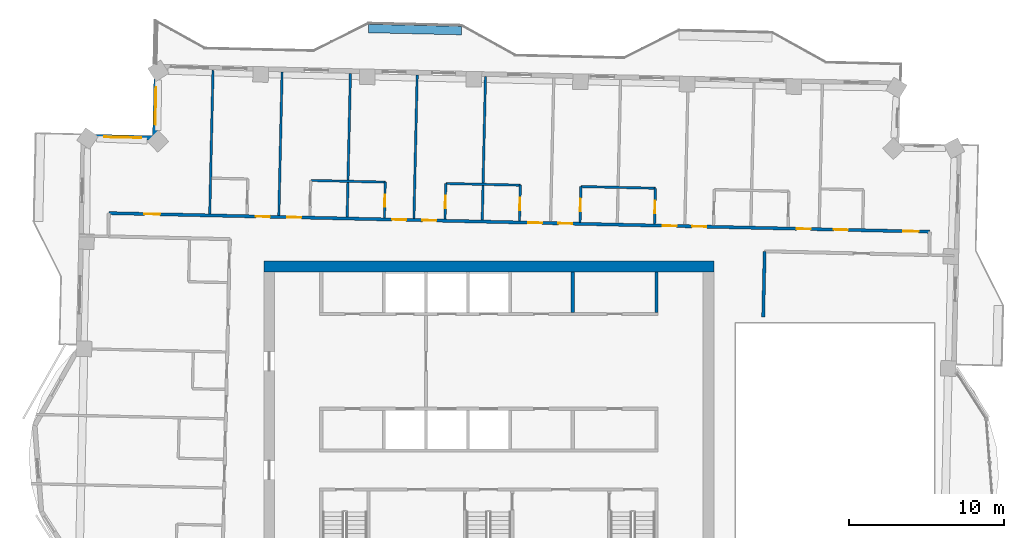
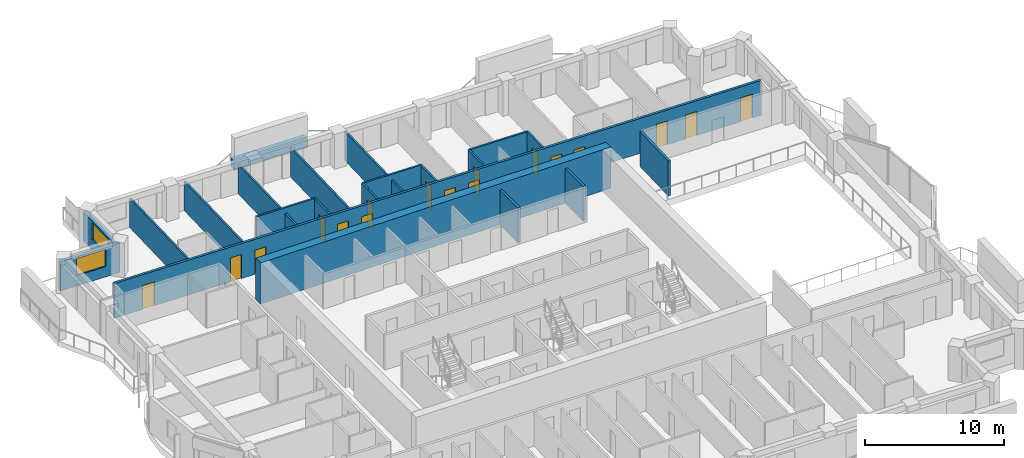
# One storey, part 11 of 17: 21 walls, 17 doors, 2 windows, 19 openings.
"""IFC4 building model written with IfcOpenShell, lengths in metres."""

from ifc_helpers import new_model, si_unit, direction, frame, frame_2d, origin, place, context, subcontext, project, spatial, rectangle, extrude, material, layer, layer_set, type_object, element, fill, save


model = new_model("IFC4")

# Units and contexts
model_context = context("Model", 3, precision=1e-05, world=origin(), true_north=direction((0.0, 1.0)))
body_context = subcontext(model_context, "Body", "Model", "MODEL_VIEW")
ifc_project = project(units=[si_unit("LENGTHUNIT", "METRE"), si_unit("AREAUNIT", "SQUARE_METRE"), si_unit("VOLUMEUNIT", "CUBIC_METRE"), si_unit("PLANEANGLEUNIT", "RADIAN"), si_unit("MASSUNIT", "GRAM", prefix="KILO")], contexts=[model_context])

# Site, building, storey
site_placement = place(None, origin())
site = spatial("IfcSite", under=ifc_project, at=site_placement, CompositionType="ELEMENT")
building_placement = place(site_placement, origin())
building = spatial("IfcBuilding", under=site, at=building_placement, Name="Mangrove Gate Tower", CompositionType="ELEMENT")
storey_placement = place(building_placement, frame((0.0, 0.0, 271.699951171875)))
storey = spatial("IfcBuildingStorey", under=building, at=storey_placement, Name="L69", CompositionType="ELEMENT", Elevation=271.699951171875)

# Walls
ifc_material_1 = material(Name="Concrete C32/40", Category="concrete")
ifc_layer_1 = layer(ifc_material_1, 0.199951171875)
ifc_layer_set_1 = layer_set([ifc_layer_1], Name="Core room wall 200 C32/40")
wall_type_1 = type_object("IfcWallType", Name="Core room wall 200 C32/40", PredefinedType="STANDARD", material=ifc_layer_set_1)
for number, where, z_axis, x_axis, name in (
    (1, (5.39990234375, 8.199951171875, 0.0), (0.0, 0.0, 1.0), (0.0, 1.0, 0.0), "WALL-L69-CORE-31"),
    (2, (10.800048828125, 8.199951171875, 0.0), (0.0, 0.0, 1.0), (0.0, 1.0, 0.0), "WALL-L69-CORE-32"),
):
    element("IfcWall", number, at=place(storey_placement, frame(where, z_axis=z_axis, x_axis=x_axis)), inside=storey, type_object=wall_type_1, Name=name, PredefinedType="STANDARD", context=body_context, shape_type="SweptSolid", body=[
        extrude(rectangle(XDim=2.60009765625, YDim=0.199951171875, at=frame_2d((1.300048828125, 0.0))), origin(), (0.0, 0.0, 1.0), 3.050048828125),
    ])
ifc_material_2 = material(Name="Concrete C50/60", Category="concrete")
ifc_layer_2 = layer(ifc_material_2, 0.699951171875)
ifc_layer_set_2 = layer_set([ifc_layer_2], Name="Core wall 700 C50/60")
wall_type_2 = type_object("IfcWallType", Name="Core wall 700 C50/60", PredefinedType="SHEAR", material=ifc_layer_set_2)
wall_1_placement = place(storey_placement, frame((-14.5, 11.14990234375, 0.0), z_axis=(0.0, 0.0, 1.0), x_axis=(1.0, 0.0, 0.0)))
element("IfcWall", 3, at=wall_1_placement, inside=storey, type_object=wall_type_2, Name="WALL-L69-CORE-2", PredefinedType="SHEAR", context=body_context, shape_type="SweptSolid", body=[
    extrude(rectangle(XDim=29.0, YDim=0.699951171875, at=frame_2d((14.5, 0.0))), origin(), (0.0, 0.0, 1.0), 3.60009765625),
])
ifc_material_3 = material(Name="Gypsum board on steel stud, EI 60", Category="steel")
ifc_layer_3 = layer(ifc_material_3, 0.199951171875)
ifc_layer_set_3 = layer_set([ifc_layer_3], Name="Corridor wall EI 60")
wall_type_3 = type_object("IfcWallType", Name="Corridor wall EI 60", PredefinedType="PARTITIONING", material=ifc_layer_set_3)
wall_2_placement = place(storey_placement, frame((17.660888671875, 7.904052734375, 0.0), z_axis=(0.0, 0.0, 1.0), x_axis=(0.022718785711, 0.999741895079, 0.0)))
element("IfcWall", 4, at=wall_2_placement, inside=storey, type_object=wall_type_3, Name="WALL-L69-047", PredefinedType="PARTITIONING", context=body_context, shape_type="SweptSolid", body=[
    extrude(rectangle(XDim=4.23388671875, YDim=0.199951171875, at=frame_2d((2.116943359375, 0.0))), origin(), (0.0, 0.0, 1.0), 3.050048828125),
])

# Wall, openings, doors
wall_3_placement = place(storey_placement, frame((-24.47412109375, 14.595947265625, 0.0), z_axis=(0.0, 0.0, 1.0), x_axis=(0.999742424031, -0.022695497208, 0.0)))
wall_3 = element("IfcWall", 5, at=wall_3_placement, inside=storey, type_object=wall_type_3, Name="WALL-L69-056", PredefinedType="PARTITIONING", context=body_context, shape_type="SweptSolid", body=[
    extrude(rectangle(XDim=52.871826171875, YDim=0.199951171875, at=frame_2d((26.43603515625, 0.0))), origin(), (0.0, 0.0, 1.0), 3.050048828125),
])
opening_1_placement = place(wall_3_placement, frame((51.160888671875, 0.0, 0.0)))
opening_1 = element("IfcOpeningElement", 6, at=opening_1_placement, cuts=wall_3, Name="Opening AD", PredefinedType="OPENING", context=body_context, shape_type="SweptSolid", body=[
    extrude(rectangle(XDim=1.0, YDim=2.10009765625, at=frame_2d((0.5, 1.050048828125))), frame((0.0, 0.10986328125, 0.0), z_axis=(0.0, -1.0, 0.0), x_axis=(1.0, 0.0, 0.0)), (0.0, 0.0, 1.0), 0.219970703125),
])
opening_2_placement = place(wall_3_placement, frame((46.699951171875, 0.0, 0.0)))
opening_2 = element("IfcOpeningElement", 7, at=opening_2_placement, cuts=wall_3, Name="Opening SD", PredefinedType="OPENING", context=body_context, shape_type="SweptSolid", body=[
    extrude(rectangle(XDim=0.89990234375, YDim=2.10009765625, at=frame_2d((0.449951171875, 1.050048828125))), frame((0.0, 0.10986328125, 0.0), z_axis=(0.0, -1.0, 0.0), x_axis=(1.0, 0.0, 0.0)), (0.0, 0.0, 1.0), 0.219970703125),
])
opening_3_placement = place(wall_3_placement, frame((44.300048828125, 0.0, 0.0)))
opening_3 = element("IfcOpeningElement", 8, at=opening_3_placement, cuts=wall_3, Name="Opening BD", PredefinedType="OPENING", context=body_context, shape_type="SweptSolid", body=[
    extrude(rectangle(XDim=0.89990234375, YDim=2.10009765625, at=frame_2d((0.449951171875, 1.050048828125))), frame((0.0, 0.10986328125, 0.0), z_axis=(0.0, -1.0, 0.0), x_axis=(1.0, 0.0, 0.0)), (0.0, 0.0, 1.0), 0.219970703125),
])
opening_4_placement = place(wall_3_placement, frame((37.574951171875, 0.0, 0.0)))
opening_4 = element("IfcOpeningElement", 9, at=opening_4_placement, cuts=wall_3, Name="Opening BD", PredefinedType="OPENING", context=body_context, shape_type="SweptSolid", body=[
    extrude(rectangle(XDim=0.89990234375, YDim=2.10009765625, at=frame_2d((0.449951171875, 1.050048828125))), frame((0.0, 0.10986328125, 0.0), z_axis=(0.0, -1.0, 0.0), x_axis=(1.0, 0.0, 0.0)), (0.0, 0.0, 1.0), 0.219970703125),
])
opening_5_placement = place(wall_3_placement, frame((35.675048828125, 0.0, 0.0)))
opening_5 = element("IfcOpeningElement", 10, at=opening_5_placement, cuts=wall_3, Name="Opening BD", PredefinedType="OPENING", context=body_context, shape_type="SweptSolid", body=[
    extrude(rectangle(XDim=0.89990234375, YDim=2.10009765625, at=frame_2d((0.449951171875, 1.050048828125))), frame((0.0, 0.10986328125, 0.0), z_axis=(0.0, -1.0, 0.0), x_axis=(1.0, 0.0, 0.0)), (0.0, 0.0, 1.0), 0.219970703125),
])
opening_6_placement = place(wall_3_placement, frame((28.949951171875, 0.0, 0.0)))
opening_6 = element("IfcOpeningElement", 11, at=opening_6_placement, cuts=wall_3, Name="Opening BD", PredefinedType="OPENING", context=body_context, shape_type="SweptSolid", body=[
    extrude(rectangle(XDim=0.89990234375, YDim=2.10009765625, at=frame_2d((0.449951171875, 1.050048828125))), frame((0.0, 0.10986328125, 0.0), z_axis=(0.0, -1.0, 0.0), x_axis=(1.0, 0.0, 0.0)), (0.0, 0.0, 1.0), 0.219970703125),
])
opening_7_placement = place(wall_3_placement, frame((27.0, 0.0, 0.0)))
opening_7 = element("IfcOpeningElement", 12, at=opening_7_placement, cuts=wall_3, Name="Opening BD", PredefinedType="OPENING", context=body_context, shape_type="SweptSolid", body=[
    extrude(rectangle(XDim=0.89990234375, YDim=2.10009765625, at=frame_2d((0.449951171875, 1.050048828125))), frame((0.0, 0.10986328125, 0.0), z_axis=(0.0, -1.0, 0.0), x_axis=(1.0, 0.0, 0.0)), (0.0, 0.0, 1.0), 0.219970703125),
])
opening_8_placement = place(wall_3_placement, frame((20.199951171875, 0.0, 0.0)))
opening_8 = element("IfcOpeningElement", 13, at=opening_8_placement, cuts=wall_3, Name="Opening BD", PredefinedType="OPENING", context=body_context, shape_type="SweptSolid", body=[
    extrude(rectangle(XDim=0.89990234375, YDim=2.10009765625, at=frame_2d((0.449951171875, 1.050048828125))), frame((0.0, 0.10986328125, 0.0), z_axis=(0.0, -1.0, 0.0), x_axis=(1.0, 0.0, 0.0)), (0.0, 0.0, 1.0), 0.219970703125),
])
opening_9_placement = place(wall_3_placement, frame((18.25, 0.0, 0.0)))
opening_9 = element("IfcOpeningElement", 14, at=opening_9_placement, cuts=wall_3, Name="Opening BD", PredefinedType="OPENING", context=body_context, shape_type="SweptSolid", body=[
    extrude(rectangle(XDim=0.89990234375, YDim=2.10009765625, at=frame_2d((0.449951171875, 1.050048828125))), frame((0.0, 0.10986328125, 0.0), z_axis=(0.0, -1.0, 0.0), x_axis=(1.0, 0.0, 0.0)), (0.0, 0.0, 1.0), 0.219970703125),
])
opening_10_placement = place(wall_3_placement, frame((11.5, 0.0, 0.0)))
opening_10 = element("IfcOpeningElement", 15, at=opening_10_placement, cuts=wall_3, Name="Opening BD", PredefinedType="OPENING", context=body_context, shape_type="SweptSolid", body=[
    extrude(rectangle(XDim=0.89990234375, YDim=2.10009765625, at=frame_2d((0.449951171875, 1.050048828125))), frame((0.0, 0.10986328125, 0.0), z_axis=(0.0, -1.0, 0.0), x_axis=(1.0, 0.0, 0.0)), (0.0, 0.0, 1.0), 0.219970703125),
])
opening_11_placement = place(wall_3_placement, frame((9.47509765625, 0.0, 0.0)))
opening_11 = element("IfcOpeningElement", 16, at=opening_11_placement, cuts=wall_3, Name="Opening BD", PredefinedType="OPENING", context=body_context, shape_type="SweptSolid", body=[
    extrude(rectangle(XDim=0.89990234375, YDim=2.10009765625, at=frame_2d((0.449951171875, 1.050048828125))), frame((0.0, 0.10986328125, 0.0), z_axis=(0.0, -1.0, 0.0), x_axis=(1.0, 0.0, 0.0)), (0.0, 0.0, 1.0), 0.219970703125),
])
opening_12_placement = place(wall_3_placement, frame((2.29296875, 0.0, 0.0)))
opening_12 = element("IfcOpeningElement", 17, at=opening_12_placement, cuts=wall_3, Name="Opening AD", PredefinedType="OPENING", context=body_context, shape_type="SweptSolid", body=[
    extrude(rectangle(XDim=1.0, YDim=2.10009765625, at=frame_2d((0.5, 1.050048828125))), frame((0.0, 0.10986328125, 0.0), z_axis=(0.0, -1.0, 0.0), x_axis=(1.0, 0.0, 0.0)), (0.0, 0.0, 1.0), 0.219970703125),
])
ifc_material_4 = material(Name="Timber door leaf", Category="wood")
door_type_1 = type_object("IfcDoorType", Name="Amenity door 1000", OperationType="SINGLE_SWING_LEFT", PredefinedType="DOOR", material=ifc_material_4)
door_1_placement = place(opening_1_placement, origin())
door_1 = element("IfcDoor", 18, at=door_1_placement, inside=storey, type_object=door_type_1, Name="DOOR-L69-LNG-c3a", OperationType="SINGLE_SWING_LEFT", OverallHeight=2.10009765625, OverallWidth=1.0, PredefinedType="DOOR", context=body_context, shape_type="SweptSolid", body=[
    extrude(rectangle(XDim=1.0, YDim=2.10009765625, at=frame_2d((0.5, 1.050048828125))), frame((0.0, 0.02490234375, 0.0), z_axis=(0.0, -1.0, 0.0), x_axis=(1.0, 0.0, 0.0)), (0.0, 0.0, 1.0), 0.050048828125),
])
fill(opening_1, door_1)
door_2_placement = place(opening_12_placement, origin())
door_2 = element("IfcDoor", 19, at=door_2_placement, inside=storey, type_object=door_type_1, Name="DOOR-L69-KIT-c5a", OperationType="SINGLE_SWING_RIGHT", OverallHeight=2.10009765625, OverallWidth=1.0, PredefinedType="DOOR", context=body_context, shape_type="SweptSolid", body=[
    extrude(rectangle(XDim=1.0, YDim=2.10009765625, at=frame_2d((0.5, 1.050048828125))), frame((0.0, 0.02490234375, 0.0), z_axis=(0.0, -1.0, 0.0), x_axis=(1.0, 0.0, 0.0)), (0.0, 0.0, 1.0), 0.050048828125),
])
fill(opening_12, door_2)
ifc_material_5 = material(Name="Timber door leaf", Category="wood")
door_type_2 = type_object("IfcDoorType", Name="Bedroom door 900", OperationType="SINGLE_SWING_LEFT", PredefinedType="DOOR", material=ifc_material_5)
door_3_placement = place(opening_3_placement, origin())
door_3 = element("IfcDoor", 20, at=door_3_placement, inside=storey, type_object=door_type_2, Name="DOOR-L69-BED-c309", OperationType="SINGLE_SWING_LEFT", OverallHeight=2.10009765625, OverallWidth=0.89990234375, PredefinedType="DOOR", context=body_context, shape_type="SweptSolid", body=[
    extrude(rectangle(XDim=0.89990234375, YDim=2.10009765625, at=frame_2d((0.449951171875, 1.050048828125))), frame((0.0, 0.02490234375, 0.0), z_axis=(0.0, -1.0, 0.0), x_axis=(1.0, 0.0, 0.0)), (0.0, 0.0, 1.0), 0.050048828125),
])
fill(opening_3, door_3)
door_4_placement = place(opening_4_placement, origin())
door_4 = element("IfcDoor", 21, at=door_4_placement, inside=storey, type_object=door_type_2, Name="DOOR-L69-BED-c310", OperationType="SINGLE_SWING_RIGHT", OverallHeight=2.10009765625, OverallWidth=0.89990234375, PredefinedType="DOOR", context=body_context, shape_type="SweptSolid", body=[
    extrude(rectangle(XDim=0.89990234375, YDim=2.10009765625, at=frame_2d((0.449951171875, 1.050048828125))), frame((0.0, 0.02490234375, 0.0), z_axis=(0.0, -1.0, 0.0), x_axis=(1.0, 0.0, 0.0)), (0.0, 0.0, 1.0), 0.050048828125),
])
fill(opening_4, door_4)
door_5_placement = place(opening_5_placement, origin())
door_5 = element("IfcDoor", 22, at=door_5_placement, inside=storey, type_object=door_type_2, Name="DOOR-L69-BED-c311", OperationType="SINGLE_SWING_LEFT", OverallHeight=2.10009765625, OverallWidth=0.89990234375, PredefinedType="DOOR", context=body_context, shape_type="SweptSolid", body=[
    extrude(rectangle(XDim=0.89990234375, YDim=2.10009765625, at=frame_2d((0.449951171875, 1.050048828125))), frame((0.0, 0.02490234375, 0.0), z_axis=(0.0, -1.0, 0.0), x_axis=(1.0, 0.0, 0.0)), (0.0, 0.0, 1.0), 0.050048828125),
])
fill(opening_5, door_5)
door_6_placement = place(opening_6_placement, origin())
door_6 = element("IfcDoor", 23, at=door_6_placement, inside=storey, type_object=door_type_2, Name="DOOR-L69-BED-c412", OperationType="SINGLE_SWING_RIGHT", OverallHeight=2.10009765625, OverallWidth=0.89990234375, PredefinedType="DOOR", context=body_context, shape_type="SweptSolid", body=[
    extrude(rectangle(XDim=0.89990234375, YDim=2.10009765625, at=frame_2d((0.449951171875, 1.050048828125))), frame((0.0, 0.02490234375, 0.0), z_axis=(0.0, -1.0, 0.0), x_axis=(1.0, 0.0, 0.0)), (0.0, 0.0, 1.0), 0.050048828125),
])
fill(opening_6, door_6)
door_7_placement = place(opening_7_placement, origin())
door_7 = element("IfcDoor", 24, at=door_7_placement, inside=storey, type_object=door_type_2, Name="DOOR-L69-BED-c413", OperationType="SINGLE_SWING_LEFT", OverallHeight=2.10009765625, OverallWidth=0.89990234375, PredefinedType="DOOR", context=body_context, shape_type="SweptSolid", body=[
    extrude(rectangle(XDim=0.89990234375, YDim=2.10009765625, at=frame_2d((0.449951171875, 1.050048828125))), frame((0.0, 0.02490234375, 0.0), z_axis=(0.0, -1.0, 0.0), x_axis=(1.0, 0.0, 0.0)), (0.0, 0.0, 1.0), 0.050048828125),
])
fill(opening_7, door_7)
door_8_placement = place(opening_8_placement, origin())
door_8 = element("IfcDoor", 25, at=door_8_placement, inside=storey, type_object=door_type_2, Name="DOOR-L69-BED-c414", OperationType="SINGLE_SWING_RIGHT", OverallHeight=2.10009765625, OverallWidth=0.89990234375, PredefinedType="DOOR", context=body_context, shape_type="SweptSolid", body=[
    extrude(rectangle(XDim=0.89990234375, YDim=2.10009765625, at=frame_2d((0.449951171875, 1.050048828125))), frame((0.0, 0.02490234375, 0.0), z_axis=(0.0, -1.0, 0.0), x_axis=(1.0, 0.0, 0.0)), (0.0, 0.0, 1.0), 0.050048828125),
])
fill(opening_8, door_8)
door_9_placement = place(opening_9_placement, origin())
door_9 = element("IfcDoor", 26, at=door_9_placement, inside=storey, type_object=door_type_2, Name="DOOR-L69-BED-c515", OperationType="SINGLE_SWING_LEFT", OverallHeight=2.10009765625, OverallWidth=0.89990234375, PredefinedType="DOOR", context=body_context, shape_type="SweptSolid", body=[
    extrude(rectangle(XDim=0.89990234375, YDim=2.10009765625, at=frame_2d((0.449951171875, 1.050048828125))), frame((0.0, 0.02490234375, 0.0), z_axis=(0.0, -1.0, 0.0), x_axis=(1.0, 0.0, 0.0)), (0.0, 0.0, 1.0), 0.050048828125),
])
fill(opening_9, door_9)
door_10_placement = place(opening_10_placement, origin())
door_10 = element("IfcDoor", 27, at=door_10_placement, inside=storey, type_object=door_type_2, Name="DOOR-L69-BED-c516", OperationType="SINGLE_SWING_RIGHT", OverallHeight=2.10009765625, OverallWidth=0.89990234375, PredefinedType="DOOR", context=body_context, shape_type="SweptSolid", body=[
    extrude(rectangle(XDim=0.89990234375, YDim=2.10009765625, at=frame_2d((0.449951171875, 1.050048828125))), frame((0.0, 0.02490234375, 0.0), z_axis=(0.0, -1.0, 0.0), x_axis=(1.0, 0.0, 0.0)), (0.0, 0.0, 1.0), 0.050048828125),
])
fill(opening_10, door_10)
door_11_placement = place(opening_11_placement, origin())
door_11 = element("IfcDoor", 28, at=door_11_placement, inside=storey, type_object=door_type_2, Name="DOOR-L69-BED-c517", OperationType="SINGLE_SWING_LEFT", OverallHeight=2.10009765625, OverallWidth=0.89990234375, PredefinedType="DOOR", context=body_context, shape_type="SweptSolid", body=[
    extrude(rectangle(XDim=0.89990234375, YDim=2.10009765625, at=frame_2d((0.449951171875, 1.050048828125))), frame((0.0, 0.02490234375, 0.0), z_axis=(0.0, -1.0, 0.0), x_axis=(1.0, 0.0, 0.0)), (0.0, 0.0, 1.0), 0.050048828125),
])
fill(opening_11, door_11)
ifc_material_6 = material(Name="Timber door leaf", Category="wood")
door_type_3 = type_object("IfcDoorType", Name="Service room door 900", OperationType="SINGLE_SWING_LEFT", PredefinedType="DOOR", material=ifc_material_6)
door_12_placement = place(opening_2_placement, origin())
door_12 = element("IfcDoor", 29, at=door_12_placement, inside=storey, type_object=door_type_3, Name="DOOR-L69-LDY-c3a", OperationType="SINGLE_SWING_RIGHT", OverallHeight=2.10009765625, OverallWidth=0.89990234375, PredefinedType="DOOR", context=body_context, shape_type="SweptSolid", body=[
    extrude(rectangle(XDim=0.89990234375, YDim=2.10009765625, at=frame_2d((0.449951171875, 1.050048828125))), frame((0.0, 0.02490234375, 0.0), z_axis=(0.0, -1.0, 0.0), x_axis=(1.0, 0.0, 0.0)), (0.0, 0.0, 1.0), 0.050048828125),
])
fill(opening_2, door_12)

# Wall, opening, window
ifc_material_7 = material(Name="Limestone", Category="masonry")
ifc_layer_4 = layer(ifc_material_7, 0.0400390625, Name="Limestone cladding")
ifc_material_8 = material(Name="Ventilated air gap")
ifc_layer_5 = layer(ifc_material_8, 0.0400390625, Name="Ventilated cavity")
ifc_material_9 = material(Name="Mineral wool insulation")
ifc_layer_6 = layer(ifc_material_9, 0.06005859375, Name="Insulation")
ifc_material_10 = material(Name="Breather membrane")
ifc_layer_7 = layer(ifc_material_10, 0.001953125, Name="Breather membrane")
ifc_material_11 = material(Name="Concrete C20/25 blockwork", Category="masonry")
ifc_layer_8 = layer(ifc_material_11, 0.14990234375, Name="Blockwork backing wall")
ifc_material_12 = material(Name="Gypsum plaster")
ifc_layer_9 = layer(ifc_material_12, 0.008056640625, Name="Internal plaster")
ifc_layer_set_4 = layer_set([ifc_layer_4, ifc_layer_5, ifc_layer_6, ifc_layer_7, ifc_layer_8, ifc_layer_9], Name="External wall 300 limestone cladding")
wall_type_4 = type_object("IfcWallType", Name="External wall 300 limestone cladding", PredefinedType="SOLIDWALL", material=ifc_layer_set_4)
wall_4_placement = place(storey_placement, frame((-21.408935546875, 24.029052734375, 0.0), z_axis=(0.0, 0.0, 1.0), x_axis=(-0.022820258049, -0.999739584003, 0.0)))
wall_4 = element("IfcWall", 30, at=wall_4_placement, inside=storey, type_object=wall_type_4, Name="WALL-L69-W6", PredefinedType="SOLIDWALL", context=body_context, shape_type="SweptSolid", body=[
    extrude(rectangle(XDim=4.600341796875, YDim=0.300048828125, at=frame_2d((2.30029296875, 0.0))), origin(), (0.0, 0.0, 1.0), 2.550048828125),
])
opening_13_placement = place(wall_4_placement, frame((1.327880859375, 0.0, 0.89990234375)))
opening_13 = element("IfcOpeningElement", 31, at=opening_13_placement, cuts=wall_4, Name="Opening W2", PredefinedType="OPENING", context=body_context, shape_type="SweptSolid", body=[
    extrude(rectangle(XDim=2.39990234375, YDim=1.5, at=frame_2d((1.199951171875, 0.75))), frame((0.0, 0.159912109375, 0.0), z_axis=(0.0, -1.0, 0.0), x_axis=(1.0, 0.0, 0.0)), (0.0, 0.0, 1.0), 0.320068359375),
])
ifc_material_13 = material(Name="Aluminium frame with double-glazed low-e glass", Category="aluminium")
window_type = type_object("IfcWindowType", Name="Corner room window 2400x1500", PartitioningType="DOUBLE_PANEL_VERTICAL", PredefinedType="WINDOW", material=ifc_material_13)
window_1_placement = place(opening_13_placement, origin())
window_1 = element("IfcWindow", 32, at=window_1_placement, inside=storey, type_object=window_type, Name="WIN-L69-W6-1", OverallHeight=1.5, OverallWidth=2.39990234375, PartitioningType="DOUBLE_PANEL_VERTICAL", PredefinedType="WINDOW", context=body_context, shape_type="SweptSolid", body=[
    extrude(rectangle(XDim=2.39990234375, YDim=1.5, at=frame_2d((1.199951171875, 0.75))), frame((0.0, 0.030029296875, 0.0), z_axis=(0.0, -1.0, 0.0), x_axis=(1.0, 0.0, 0.0)), (0.0, 0.0, 1.0), 0.06005859375),
])
fill(opening_13, window_1)

wall_5_placement = place(storey_placement, frame((-21.242919921875, 19.424072265625, 0.0), z_axis=(0.0, 0.0, 1.0), x_axis=(-0.999745650672, 0.022552914718, 0.0)))
wall_5 = element("IfcWall", 33, at=wall_5_placement, inside=storey, type_object=wall_type_4, Name="WALL-L69-N7s1", PredefinedType="SOLIDWALL", context=body_context, shape_type="SweptSolid", body=[
    extrude(rectangle(XDim=4.871337890625, YDim=0.300048828125, at=frame_2d((2.435546875, 0.0))), origin(), (0.0, 0.0, 1.0), 2.550048828125),
])
opening_14_placement = place(wall_5_placement, frame((1.14306640625, 0.0, 0.89990234375)))
opening_14 = element("IfcOpeningElement", 34, at=opening_14_placement, cuts=wall_5, Name="Opening W2", PredefinedType="OPENING", context=body_context, shape_type="SweptSolid", body=[
    extrude(rectangle(XDim=2.39990234375, YDim=1.5, at=frame_2d((1.199951171875, 0.75))), frame((0.0, 0.159912109375, 0.0), z_axis=(0.0, -1.0, 0.0), x_axis=(1.0, 0.0, 0.0)), (0.0, 0.0, 1.0), 0.320068359375),
])
window_2_placement = place(opening_14_placement, origin())
window_2 = element("IfcWindow", 35, at=window_2_placement, inside=storey, type_object=window_type, Name="WIN-L69-N7-1", OverallHeight=1.5, OverallWidth=2.39990234375, PartitioningType="DOUBLE_PANEL_VERTICAL", PredefinedType="WINDOW", context=body_context, shape_type="SweptSolid", body=[
    extrude(rectangle(XDim=2.39990234375, YDim=1.5, at=frame_2d((1.199951171875, 0.75))), frame((0.0, 0.030029296875, 0.0), z_axis=(0.0, -1.0, 0.0), x_axis=(1.0, 0.0, 0.0)), (0.0, 0.0, 1.0), 0.06005859375),
])
fill(opening_14, window_2)

# Walls
ifc_material_14 = material(Name="Gypsum board on steel stud, EI 60", Category="steel")
ifc_layer_10 = layer(ifc_material_14, 0.14990234375)
ifc_layer_set_5 = layer_set([ifc_layer_10], Name="Party wall 150 EI 60")
wall_type_5 = type_object("IfcWallType", Name="Party wall 150 EI 60", PredefinedType="PARTITIONING", material=ifc_layer_set_5)
wall_6_placement = place(storey_placement, frame((-17.97802734375, 14.548095703125, 0.0), z_axis=(0.0, 0.0, 1.0), x_axis=(0.022698023584, 0.999742366675, 0.0)))
element("IfcWall", 36, at=wall_6_placement, inside=storey, type_object=wall_type_5, Name="WALL-L69-057", PredefinedType="PARTITIONING", context=body_context, shape_type="SweptSolid", body=[
    extrude(rectangle(XDim=9.250244140625, YDim=0.14990234375, at=frame_2d((4.625, 0.0))), origin(), (0.0, 0.0, 1.0), 2.550048828125),
])
wall_7_placement = place(storey_placement, frame((-13.529052734375, 14.447021484375, 0.0), z_axis=(0.0, 0.0, 1.0), x_axis=(0.022697424684, 0.999742380272, 0.0)))
element("IfcWall", 37, at=wall_7_placement, inside=storey, type_object=wall_type_5, Name="WALL-L69-059", PredefinedType="PARTITIONING", context=body_context, shape_type="SweptSolid", body=[
    extrude(rectangle(XDim=9.25048828125, YDim=0.14990234375, at=frame_2d((4.625244140625, 0.0))), origin(), (0.0, 0.0, 1.0), 2.550048828125),
])
wall_8_placement = place(storey_placement, frame((-9.1298828125, 14.347900390625, 0.0), z_axis=(0.0, 0.0, 1.0), x_axis=(0.022699820474, 0.999742325877, 0.0)))
element("IfcWall", 38, at=wall_8_placement, inside=storey, type_object=wall_type_5, Name="WALL-L69-061", PredefinedType="PARTITIONING", context=body_context, shape_type="SweptSolid", body=[
    extrude(rectangle(XDim=9.24951171875, YDim=0.14990234375, at=frame_2d((4.624755859375, 0.0))), origin(), (0.0, 0.0, 1.0), 2.550048828125),
])

# Wall, opening, door
wall_9_placement = place(storey_placement, frame((-6.72998046875, 14.29296875, 0.0), z_axis=(0.0, 0.0, 1.0), x_axis=(0.022603288534, 0.999744513037, 0.0)))
wall_9 = element("IfcWall", 39, at=wall_9_placement, inside=storey, type_object=wall_type_5, Name="WALL-L69-062", PredefinedType="PARTITIONING", context=body_context, shape_type="SweptSolid", body=[
    extrude(rectangle(XDim=2.300537109375, YDim=0.14990234375, at=frame_2d((1.150390625, 0.0))), origin(), (0.0, 0.0, 1.0), 3.050048828125),
])
opening_15_placement = place(wall_9_placement, frame((0.699951171875, 0.0, 0.0)))
opening_15 = element("IfcOpeningElement", 40, at=opening_15_placement, cuts=wall_9, Name="Opening ED", PredefinedType="OPENING", context=body_context, shape_type="SweptSolid", body=[
    extrude(rectangle(XDim=0.800048828125, YDim=2.10009765625, at=frame_2d((0.39990234375, 1.050048828125))), frame((0.0, 0.0849609375, 0.0), z_axis=(0.0, -1.0, 0.0), x_axis=(1.0, 0.0, 0.0)), (0.0, 0.0, 1.0), 0.169921875),
])
ifc_material_15 = material(Name="Timber door leaf", Category="wood")
door_type_4 = type_object("IfcDoorType", Name="En-suite door 800", OperationType="SINGLE_SWING_LEFT", PredefinedType="DOOR", material=ifc_material_15)
door_13_placement = place(opening_15_placement, origin())
door_13 = element("IfcDoor", 41, at=door_13_placement, inside=storey, type_object=door_type_4, Name="DOOR-L69-ENS-c515", OperationType="SINGLE_SWING_LEFT", OverallHeight=2.10009765625, OverallWidth=0.800048828125, PredefinedType="DOOR", context=body_context, shape_type="SweptSolid", body=[
    extrude(rectangle(XDim=0.800048828125, YDim=2.10009765625, at=frame_2d((0.39990234375, 1.050048828125))), frame((0.0, 0.02490234375, 0.0), z_axis=(0.0, -1.0, 0.0), x_axis=(1.0, 0.0, 0.0)), (0.0, 0.0, 1.0), 0.050048828125),
])
fill(opening_15, door_13)

# Wall
wall_10_placement = place(storey_placement, frame((-4.8310546875, 14.25, 0.0), z_axis=(0.0, 0.0, 1.0), x_axis=(0.022697424684, 0.999742380272, 0.0)))
element("IfcWall", 42, at=wall_10_placement, inside=storey, type_object=wall_type_5, Name="WALL-L69-063", PredefinedType="PARTITIONING", context=body_context, shape_type="SweptSolid", body=[
    extrude(rectangle(XDim=9.25048828125, YDim=0.14990234375, at=frame_2d((4.625244140625, 0.0))), origin(), (0.0, 0.0, 1.0), 2.550048828125),
])

# Wall, opening, door
wall_11_placement = place(storey_placement, frame((-2.8310546875, 14.205078125, 0.0), z_axis=(0.0, 0.0, 1.0), x_axis=(0.022615284993, 0.999744241736, 0.0)))
wall_11 = element("IfcWall", 43, at=wall_11_placement, inside=storey, type_object=wall_type_5, Name="WALL-L69-064", PredefinedType="PARTITIONING", context=body_context, shape_type="SweptSolid", body=[
    extrude(rectangle(XDim=2.29931640625, YDim=0.14990234375, at=frame_2d((1.149658203125, 0.0))), origin(), (0.0, 0.0, 1.0), 3.050048828125),
])
opening_16_placement = place(wall_11_placement, frame((0.699951171875, 0.0, 0.0)))
opening_16 = element("IfcOpeningElement", 44, at=opening_16_placement, cuts=wall_11, Name="Opening ED", PredefinedType="OPENING", context=body_context, shape_type="SweptSolid", body=[
    extrude(rectangle(XDim=0.800048828125, YDim=2.10009765625, at=frame_2d((0.39990234375, 1.050048828125))), frame((0.0, 0.0849609375, 0.0), z_axis=(0.0, -1.0, 0.0), x_axis=(1.0, 0.0, 0.0)), (0.0, 0.0, 1.0), 0.169921875),
])
door_14_placement = place(opening_16_placement, origin())
door_14 = element("IfcDoor", 45, at=door_14_placement, inside=storey, type_object=door_type_4, Name="DOOR-L69-ENS-c414", OperationType="SINGLE_SWING_RIGHT", OverallHeight=2.10009765625, OverallWidth=0.800048828125, PredefinedType="DOOR", context=body_context, shape_type="SweptSolid", body=[
    extrude(rectangle(XDim=0.800048828125, YDim=2.10009765625, at=frame_2d((0.39990234375, 1.050048828125))), frame((0.0, 0.02490234375, 0.0), z_axis=(0.0, -1.0, 0.0), x_axis=(1.0, 0.0, 0.0)), (0.0, 0.0, 1.0), 0.050048828125),
])
fill(opening_16, door_14)

# Wall
wall_12_placement = place(storey_placement, frame((-0.431884765625, 14.14990234375, 0.0), z_axis=(0.0, 0.0, 1.0), x_axis=(0.022697424684, 0.999742380272, 0.0)))
element("IfcWall", 46, at=wall_12_placement, inside=storey, type_object=wall_type_5, Name="WALL-L69-065", PredefinedType="PARTITIONING", context=body_context, shape_type="SweptSolid", body=[
    extrude(rectangle(XDim=9.25048828125, YDim=0.14990234375, at=frame_2d((4.625244140625, 0.0))), origin(), (0.0, 0.0, 1.0), 2.550048828125),
])

# Wall, opening, door
wall_13_placement = place(storey_placement, frame((1.967041015625, 14.095947265625, 0.0), z_axis=(0.0, 0.0, 1.0), x_axis=(0.023037316498, 0.999734605807, 0.0)))
wall_13 = element("IfcWall", 47, at=wall_13_placement, inside=storey, type_object=wall_type_5, Name="WALL-L69-066", PredefinedType="PARTITIONING", context=body_context, shape_type="SweptSolid", body=[
    extrude(rectangle(XDim=2.299560546875, YDim=0.14990234375, at=frame_2d((1.14990234375, 0.0))), origin(), (0.0, 0.0, 1.0), 3.050048828125),
])
opening_17_placement = place(wall_13_placement, frame((0.699951171875, 0.0, 0.0)))
opening_17 = element("IfcOpeningElement", 48, at=opening_17_placement, cuts=wall_13, Name="Opening ED", PredefinedType="OPENING", context=body_context, shape_type="SweptSolid", body=[
    extrude(rectangle(XDim=0.800048828125, YDim=2.10009765625, at=frame_2d((0.39990234375, 1.050048828125))), frame((0.0, 0.0849609375, 0.0), z_axis=(0.0, -1.0, 0.0), x_axis=(1.0, 0.0, 0.0)), (0.0, 0.0, 1.0), 0.169921875),
])
door_15_placement = place(opening_17_placement, origin())
door_15 = element("IfcDoor", 49, at=door_15_placement, inside=storey, type_object=door_type_4, Name="DOOR-L69-ENS-c413", OperationType="SINGLE_SWING_LEFT", OverallHeight=2.10009765625, OverallWidth=0.800048828125, PredefinedType="DOOR", context=body_context, shape_type="SweptSolid", body=[
    extrude(rectangle(XDim=0.800048828125, YDim=2.10009765625, at=frame_2d((0.39990234375, 1.050048828125))), frame((0.0, 0.02490234375, 0.0), z_axis=(0.0, -1.0, 0.0), x_axis=(1.0, 0.0, 0.0)), (0.0, 0.0, 1.0), 0.050048828125),
])
fill(opening_17, door_15)

wall_14_placement = place(storey_placement, frame((5.865966796875, 14.007080078125, 0.0), z_axis=(0.0, 0.0, 1.0), x_axis=(0.022605686808, 0.999744458811, 0.0)))
wall_14 = element("IfcWall", 50, at=wall_14_placement, inside=storey, type_object=wall_type_5, Name="WALL-L69-068", PredefinedType="PARTITIONING", context=body_context, shape_type="SweptSolid", body=[
    extrude(rectangle(XDim=2.30029296875, YDim=0.14990234375, at=frame_2d((1.150146484375, 0.0))), origin(), (0.0, 0.0, 1.0), 3.050048828125),
])
opening_18_placement = place(wall_14_placement, frame((0.699951171875, 0.0, 0.0)))
opening_18 = element("IfcOpeningElement", 51, at=opening_18_placement, cuts=wall_14, Name="Opening ED", PredefinedType="OPENING", context=body_context, shape_type="SweptSolid", body=[
    extrude(rectangle(XDim=0.800048828125, YDim=2.10009765625, at=frame_2d((0.39990234375, 1.050048828125))), frame((0.0, 0.0849609375, 0.0), z_axis=(0.0, -1.0, 0.0), x_axis=(1.0, 0.0, 0.0)), (0.0, 0.0, 1.0), 0.169921875),
])
door_16_placement = place(opening_18_placement, origin())
door_16 = element("IfcDoor", 52, at=door_16_placement, inside=storey, type_object=door_type_4, Name="DOOR-L69-ENS-c412", OperationType="SINGLE_SWING_RIGHT", OverallHeight=2.10009765625, OverallWidth=0.800048828125, PredefinedType="DOOR", context=body_context, shape_type="SweptSolid", body=[
    extrude(rectangle(XDim=0.800048828125, YDim=2.10009765625, at=frame_2d((0.39990234375, 1.050048828125))), frame((0.0, 0.02490234375, 0.0), z_axis=(0.0, -1.0, 0.0), x_axis=(1.0, 0.0, 0.0)), (0.0, 0.0, 1.0), 0.050048828125),
])
fill(opening_18, door_16)

wall_15_placement = place(storey_placement, frame((10.6650390625, 13.89794921875, 0.0), z_axis=(0.0, 0.0, 1.0), x_axis=(0.022603288534, 0.999744513037, 0.0)))
wall_15 = element("IfcWall", 53, at=wall_15_placement, inside=storey, type_object=wall_type_5, Name="WALL-L69-070", PredefinedType="PARTITIONING", context=body_context, shape_type="SweptSolid", body=[
    extrude(rectangle(XDim=2.300537109375, YDim=0.14990234375, at=frame_2d((1.150390625, 0.0))), origin(), (0.0, 0.0, 1.0), 3.050048828125),
])
opening_19_placement = place(wall_15_placement, frame((0.699951171875, 0.0, 0.0)))
opening_19 = element("IfcOpeningElement", 54, at=opening_19_placement, cuts=wall_15, Name="Opening ED", PredefinedType="OPENING", context=body_context, shape_type="SweptSolid", body=[
    extrude(rectangle(XDim=0.800048828125, YDim=2.10009765625, at=frame_2d((0.39990234375, 1.050048828125))), frame((0.0, 0.0849609375, 0.0), z_axis=(0.0, -1.0, 0.0), x_axis=(1.0, 0.0, 0.0)), (0.0, 0.0, 1.0), 0.169921875),
])
door_17_placement = place(opening_19_placement, origin())
door_17 = element("IfcDoor", 55, at=door_17_placement, inside=storey, type_object=door_type_4, Name="DOOR-L69-ENS-c311", OperationType="SINGLE_SWING_LEFT", OverallHeight=2.10009765625, OverallWidth=0.800048828125, PredefinedType="DOOR", context=body_context, shape_type="SweptSolid", body=[
    extrude(rectangle(XDim=0.800048828125, YDim=2.10009765625, at=frame_2d((0.39990234375, 1.050048828125))), frame((0.0, 0.02490234375, 0.0), z_axis=(0.0, -1.0, 0.0), x_axis=(1.0, 0.0, 0.0)), (0.0, 0.0, 1.0), 0.050048828125),
])
fill(opening_19, door_17)

# Walls
for number, where, z_axis, x_axis, name in (
    (56, (-11.472900390625, 16.700927734375, 0.0), (0.0, 0.0, 1.0), (0.999742675121, -0.022684433919, 0.0), "WALL-L69-078"),
    (57, (-2.77490234375, 16.50390625, 0.0), (0.0, 0.0, 1.0), (0.999742675121, -0.022684433919, 0.0), "WALL-L69-079"),
    (58, (5.922119140625, 16.306884765625, 0.0), (0.0, 0.0, 1.0), (0.999742675121, -0.022684433919, 0.0), "WALL-L69-080"),
):
    element("IfcWall", number, at=place(storey_placement, frame(where, z_axis=z_axis, x_axis=x_axis)), inside=storey, type_object=wall_type_5, Name=name, PredefinedType="PARTITIONING", context=body_context, shape_type="SweptSolid", body=[
        extrude(rectangle(XDim=4.800048828125, YDim=0.14990234375, at=frame_2d((2.39990234375, 0.0))), origin(), (0.0, 0.0, 1.0), 3.050048828125),
    ])
ifc_material_16 = material(Name="Concrete C32/40", Category="concrete")
ifc_layer_11 = layer(ifc_material_16, 0.199951171875, Name="Planter trough wall")
ifc_material_17 = material(Name="Bituminous waterproofing membrane")
ifc_layer_12 = layer(ifc_material_17, 0.0048828125, Name="Waterproofing")
ifc_material_18 = material(Name="Drainage board and gravel")
ifc_layer_13 = layer(ifc_material_18, 0.044921875, Name="Drainage layer")
ifc_material_19 = material(Name="Planting soil")
ifc_layer_14 = layer(ifc_material_19, 0.300048828125, Name="Growing medium")
ifc_layer_set_6 = layer_set([ifc_layer_11, ifc_layer_12, ifc_layer_13, ifc_layer_14], Name="Planter wall 550 C32/40")
wall_type_6 = type_object("IfcWallType", Name="Planter wall 550 C32/40", PredefinedType="USERDEFINED", material=ifc_layer_set_6)
wall_16_placement = place(storey_placement, frame((-7.763916015625, 26.485107421875, 0.0), z_axis=(0.0, 0.0, 1.0), x_axis=(0.999743178102, -0.022662255828, 0.0)))
element("IfcWall", 59, at=wall_16_placement, inside=storey, type_object=wall_type_6, Name="PLANTER L69 N1.1", ObjectType="PLANTER", PredefinedType="USERDEFINED", context=body_context, shape_type="SweptSolid", body=[
    extrude(rectangle(XDim=6.00048828125, YDim=0.550048828125, at=frame_2d((3.000244140625, 0.0))), origin(), (0.0, 0.0, 1.0), 0.800048828125),
])

save(model, "model.ifc")
